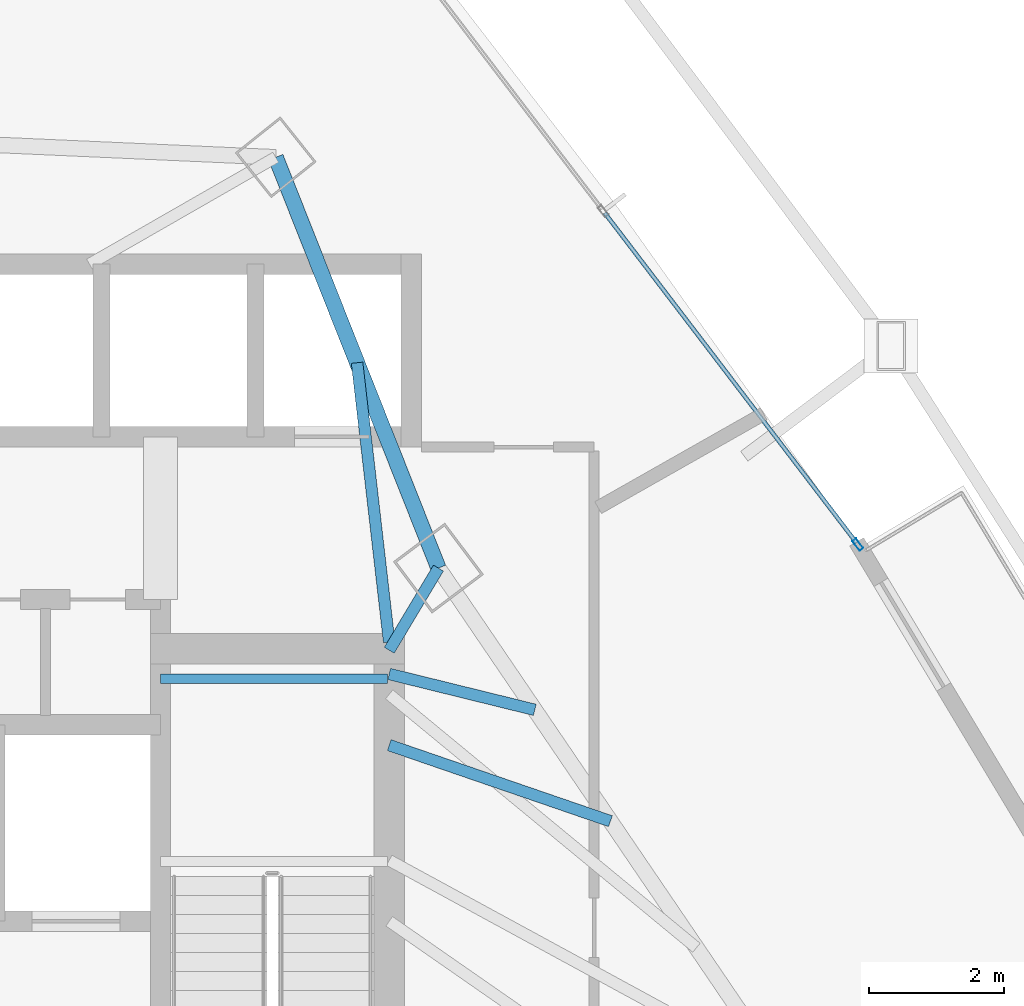
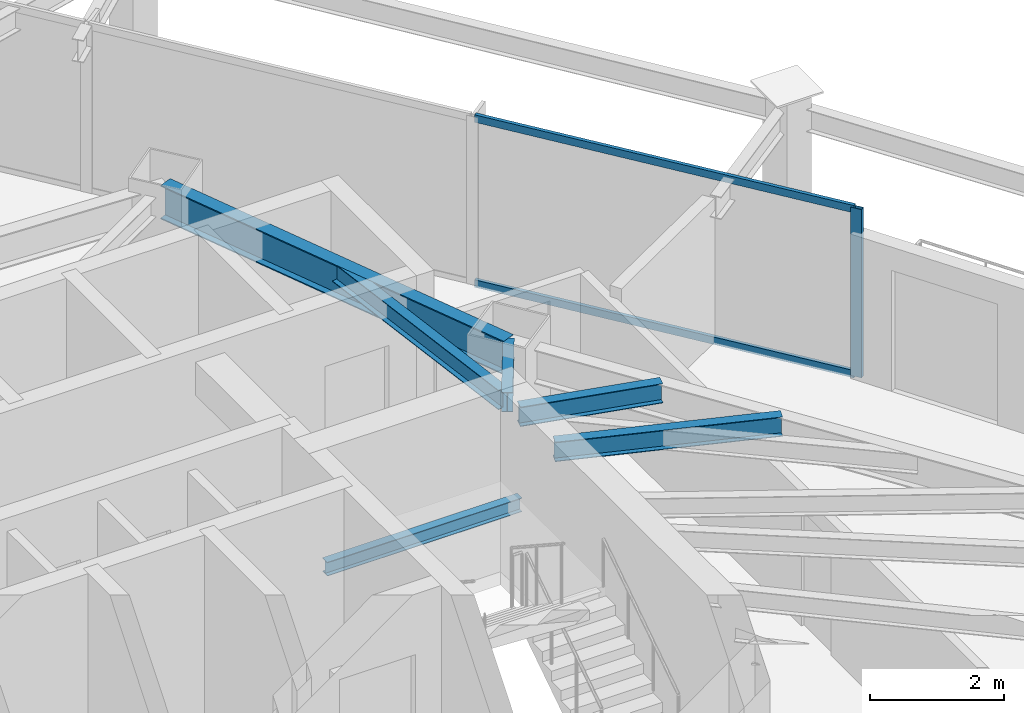
# One storey, part 24 of 33: 6 beams, 3 members, 1 element without a shape of its own.
"""IFC4 building model written with IfcOpenShell, lengths in metres."""

import ifcopenshell
import ifcopenshell.guid

model = None  # the IFC model being written
_history = None  # IfcOwnerHistory: only IFC2X3 demands one
_inside = {}  # id of a spatial element -> (the spatial element, [elements in it])
_under = {}  # id of a project, library or spatial element -> (it, [spatial elements below it])
_declared = {}  # id of a project -> (the project, [libraries it declares])
_typed = {}  # id of a type object -> (the type object, [elements of that type])
_made_of = {}  # id of a material, layer set ... -> (it, [elements and type objects made of it])


def new_model(schema):
    """Start an empty IFC model of exactly this schema.

    Asked for "IFC4X3", IfcOpenShell would pick the latest addendum, in which some entities
    have other attributes; the version numbers below select the first issue.
    IFC2X3 requires an IfcOwnerHistory on every rooted entity: one is made here for all.
    """
    global model, _history
    if schema == "IFC4X3":
        model = ifcopenshell.file(schema_version=(4, 3, 0, 0))
    else:
        model = ifcopenshell.file(schema=schema)
    _inside.clear()
    _under.clear()
    _declared.clear()
    _typed.clear()
    _made_of.clear()
    _history = None
    if model.schema == "IFC2X3":
        org = make("IfcOrganization", Name="unknown")
        user = make(
            "IfcPersonAndOrganization",
            ThePerson=make("IfcPerson", FamilyName="unknown"),
            TheOrganization=org,
        )
        app = make(
            "IfcApplication",
            ApplicationDeveloper=org,
            Version="unknown",
            ApplicationFullName="unknown",
            ApplicationIdentifier="unknown",
        )
        _history = make(
            "IfcOwnerHistory",
            OwningUser=user,
            OwningApplication=app,
            ChangeAction="ADDED",
            CreationDate=0,
        )
    return model


def make(cls, **values):
    """One entity of the class cls with the attributes given. An attribute that is None is left unset."""
    return model.create_entity(
        cls, **{name: value for name, value in values.items() if value is not None}
    )


def rooted(cls, **values):
    """An entity with a GlobalId (a new one), such as an element, a storey or a relation."""
    return make(cls, GlobalId=ifcopenshell.guid.new(), OwnerHistory=_history, **values)


def si_unit(unit_type, name, prefix=None):
    """IfcSIUnit, for example si_unit("LENGTHUNIT", "METRE", prefix="MILLI")."""
    return make("IfcSIUnit", UnitType=unit_type, Prefix=prefix, Name=name)


def assignment(units):
    """IfcUnitAssignment: the units of a project."""
    return None if units is None else make("IfcUnitAssignment", Units=units)


def point(xyz):
    """IfcCartesianPoint."""
    return None if xyz is None else make("IfcCartesianPoint", Coordinates=xyz)


def direction(xyz):
    """IfcDirection."""
    return None if xyz is None else make("IfcDirection", DirectionRatios=xyz)


def frame(location, z_axis=None, x_axis=None):
    """IfcAxis2Placement3D, a coordinate frame: its origin and axes. An axis left out is left unset."""
    return make(
        "IfcAxis2Placement3D",
        Location=point(location),
        Axis=direction(z_axis),
        RefDirection=direction(x_axis),
    )


def frame_2d(location, x_axis=None):
    """IfcAxis2Placement2D, a coordinate frame in the plane: its origin and x axis."""
    return make(
        "IfcAxis2Placement2D", Location=point(location), RefDirection=direction(x_axis)
    )


def origin():
    """The frame at (0, 0, 0) with its axes left unset."""
    return frame((0.0, 0.0, 0.0))


def origin_2d():
    """The frame at (0, 0) in the plane with its x axis left unset."""
    return frame_2d((0.0, 0.0))


def place(relative_to, where):
    """IfcLocalPlacement: puts the frame where relative to a parent placement (None: the world)."""
    return make(
        "IfcLocalPlacement", PlacementRelTo=relative_to, RelativePlacement=where
    )


def context(
    kind, dimensions, precision=None, world=None, true_north=None, identifier=None
):
    """IfcGeometricRepresentationContext, for example the 3D "Model" context."""
    return make(
        "IfcGeometricRepresentationContext",
        ContextIdentifier=identifier,
        ContextType=kind,
        CoordinateSpaceDimension=dimensions,
        Precision=precision,
        WorldCoordinateSystem=world,
        TrueNorth=true_north,
    )


def subcontext(parent, identifier, kind, view, scale=None):
    """IfcGeometricRepresentationSubContext, for example "Body" below "Model"."""
    return make(
        "IfcGeometricRepresentationSubContext",
        ContextIdentifier=identifier,
        ContextType=kind,
        ParentContext=parent,
        TargetScale=scale,
        TargetView=view,
    )


def project(units=None, contexts=None):
    """IfcProject with its units and contexts."""
    return rooted(
        "IfcProject",
        Name="project",
        RepresentationContexts=contexts,
        UnitsInContext=assignment(units),
    )


def spatial(cls, under=None, at=None, **own):
    """A site, building, storey or space (cls), placed at a placement, below another one or the project."""
    s = rooted(cls, ObjectPlacement=at, **own)
    if under is not None:
        _under.setdefault(under.id(), (under, []))[1].append(s)
    return s


def profile(cls, at=None, kind="AREA", **sizes):
    """A parametric profile (cls). Its sizes go by their IFC names, for example OverallWidth=200.0."""
    return make(cls, ProfileType=kind, Position=at, **sizes)


def hollow_rectangle(**sizes):
    """IfcRectangleHollowProfileDef."""
    return profile("IfcRectangleHollowProfileDef", **sizes)


def i_section(**sizes):
    """IfcIShapeProfileDef."""
    return profile("IfcIShapeProfileDef", **sizes)


def extrude(swept, where, along, depth):
    """IfcExtrudedAreaSolid: the profile swept, set in the frame where, extruded along a direction by depth."""
    return make(
        "IfcExtrudedAreaSolid",
        SweptArea=swept,
        Position=where,
        ExtrudedDirection=direction(along),
        Depth=depth,
    )


def shape(context_of_items, identifier, shape_type, items):
    """IfcShapeRepresentation: the items that make up one representation, for example the "Body"."""
    return make(
        "IfcShapeRepresentation",
        ContextOfItems=context_of_items,
        RepresentationIdentifier=identifier,
        RepresentationType=shape_type,
        Items=items,
    )


def material(Name=None, Category=None):
    """IfcMaterial."""
    return make("IfcMaterial", Name=Name, Category=Category)


def layer(
    of_material, thickness, ventilated=None, Name=None, Category=None, Priority=None
):
    """IfcMaterialLayer: one layer of a wall or slab, of a material (None: an air gap)."""
    return make(
        "IfcMaterialLayer",
        Material=of_material,
        LayerThickness=thickness,
        IsVentilated=ventilated,
        Name=Name,
        Category=Category,
        Priority=Priority,
    )


def layer_set(layers, Name=None):
    """IfcMaterialLayerSet."""
    return make("IfcMaterialLayerSet", MaterialLayers=layers, LayerSetName=Name)


def material_profile(
    of_material, cross_section, Name=None, Category=None, Priority=None
):
    """IfcMaterialProfile: a cross section and its material."""
    return make(
        "IfcMaterialProfile",
        Name=Name,
        Material=of_material,
        Profile=cross_section,
        Priority=Priority,
        Category=Category,
    )


def profile_set(profiles, Name=None, composite=None):
    """IfcMaterialProfileSet."""
    return make(
        "IfcMaterialProfileSet",
        Name=Name,
        MaterialProfiles=profiles,
        CompositeProfile=composite,
    )


def made_of(thing, what):
    """Note that an element or type object is made of a material, layer set ...; save() writes the relation."""
    if what is not None:
        _made_of.setdefault(what.id(), (what, []))[1].append(thing)
    return thing


def type_object(cls, material=None, **own):
    """A type object (cls), such as IfcWallType, which elements share."""
    return made_of(rooted(cls, **own), material)


def element(
    cls,
    number,
    at=None,
    inside=None,
    cuts=None,
    type_object=None,
    material=None,
    context=None,
    identifier="Body",
    shape_type=None,
    held_by="IfcProductDefinitionShape",
    body=None,
    shapes=None,
    **own,
):
    """One element of the class cls, such as IfcWall. Its Tag is "e" and its number.

    at: its placement. inside: the storey or other place that contains it. cuts: it is an
    opening in that element (IfcRelVoidsElement). A single representation is given by context,
    identifier, shape_type and body (its items); several are given by shapes. held_by: the class
    of the entity that holds the representations. save() writes the other relations.
    """
    e = rooted(cls, Tag="e%d" % number, ObjectPlacement=at, **own)
    if body is not None:
        shapes = [shape(context, identifier, shape_type, body)]
    if shapes is not None:
        e.Representation = make(held_by, Representations=shapes)
    if inside is not None:
        _inside.setdefault(inside.id(), (inside, []))[1].append(e)
    if cuts is not None:
        rooted(
            "IfcRelVoidsElement", RelatingBuildingElement=cuts, RelatedOpeningElement=e
        )
    if type_object is not None:
        _typed.setdefault(type_object.id(), (type_object, []))[1].append(e)
    return made_of(e, material)


def aggregate(whole, parts):
    """IfcRelAggregates: a whole, such as a stair, and the parts it consists of."""
    return rooted("IfcRelAggregates", RelatingObject=whole, RelatedObjects=parts)


def save(model, path):
    """Write the relations noted so far, then the file.

    IfcRelAggregates (storeys below a building ...), IfcRelContainedInSpatialStructure (elements
    in a storey), IfcRelDefinesByType, IfcRelAssociatesMaterial and IfcRelDeclares: one each for
    every whole, place, type object, material and project.
    """
    for whole, parts in _under.values():
        aggregate(whole, parts)
    for where, things in _inside.values():
        rooted(
            "IfcRelContainedInSpatialStructure",
            RelatedElements=things,
            RelatingStructure=where,
        )
    for kind, things in _typed.values():
        rooted("IfcRelDefinesByType", RelatedObjects=things, RelatingType=kind)
    for what, things in _made_of.values():
        rooted("IfcRelAssociatesMaterial", RelatedObjects=things, RelatingMaterial=what)
    for by, libraries in _declared.values():
        rooted("IfcRelDeclares", RelatingContext=by, RelatedDefinitions=libraries)
    model.write(path)


model = new_model("IFC4")

# Units and contexts
model_context = context("Model", 3, precision=1e-05, world=origin(), true_north=direction((0.0, 1.0)))
body_context = subcontext(model_context, "Body", "Model", "MODEL_VIEW")
ifc_project = project(units=[si_unit("LENGTHUNIT", "METRE"), si_unit("AREAUNIT", "SQUARE_METRE"), si_unit("VOLUMEUNIT", "CUBIC_METRE"), si_unit("PLANEANGLEUNIT", "RADIAN"), si_unit("MASSUNIT", "GRAM", prefix="KILO")], contexts=[model_context])

# Site, building, storey
site_placement = place(None, origin())
site = spatial("IfcSite", under=ifc_project, at=site_placement, CompositionType="ELEMENT")
building_placement = place(site_placement, origin())
building = spatial("IfcBuilding", under=site, at=building_placement, Name="Orvanel Arch Residences", CompositionType="ELEMENT")
storey_placement = place(building_placement, frame((0.0, 0.0, 70.85009765625)))
storey = spatial("IfcBuildingStorey", under=building, at=storey_placement, Name="L19", CompositionType="ELEMENT", Elevation=70.85009765625)

# Beams
ifc_material_1 = material(Name="Structural steel AS/NZS 3679.1 Grade 300 (300 MPa)", Category="steel")
ifc_material_profile_1 = material_profile(ifc_material_1, i_section(OverallWidth=0.14599609375, OverallDepth=0.251953125, WebThickness=0.006103515625, FlangeThickness=0.008544921875, at=origin_2d()), Name="250UB31.4")
ifc_profile_set_1 = profile_set([ifc_material_profile_1], Name="Structural steel AS/NZS 3679.1 Grade 300 (300 MPa)")
beam_type_1 = type_object("IfcBeamType", Name="BJ-250UB", PredefinedType="JOIST", material=ifc_profile_set_1)
beam_1_placement = place(storey_placement, frame((36.25, 33.47998046875, 1.323974609375), z_axis=(1.0, 0.0, 0.0), x_axis=(0.0, 1.0, 0.0)))
element("IfcBeam", 1, at=beam_1_placement, inside=storey, type_object=beam_type_1, Name="L19 ST-2 Half-Landing Support Beam 1.2", PredefinedType="JOIST", context=body_context, shape_type="SweptSolid", body=[
    extrude(i_section(OverallWidth=0.14599609375, OverallDepth=0.251953125, WebThickness=0.006103515625, FlangeThickness=0.008544921875, at=origin_2d()), origin(), (0.0, 0.0, 1.0), 3.35009765625),
])
ifc_material_profile_2 = material_profile(ifc_material_1, i_section(OverallWidth=0.1708984375, OverallDepth=0.35595703125, WebThickness=0.00732421875, FlangeThickness=0.011474609375, at=origin_2d()), Name="360UB50.7")
ifc_profile_set_2 = profile_set([ifc_material_profile_2], Name="Structural steel AS/NZS 3679.1 Grade 300 (300 MPa)")
beam_type_2 = type_object("IfcBeamType", Name="BJ-360UB", PredefinedType="JOIST", material=ifc_profile_set_2)
beam_2_placement = place(storey_placement, frame((39.625, 33.89990234375, 2.8818359375), z_axis=(0.514064138778, 0.857751748015, 0.0), x_axis=(-0.857751748015, 0.514064138778, 0.0)))
element("IfcBeam", 2, at=beam_2_placement, inside=storey, type_object=beam_type_2, Name="L19 NNE Wing Floor Joist", PredefinedType="JOIST", context=body_context, shape_type="SweptSolid", body=[
    extrude(i_section(OverallWidth=0.1708984375, OverallDepth=0.35595703125, WebThickness=0.00732421875, FlangeThickness=0.011474609375, at=origin_2d()), origin(), (0.0, 0.0, 1.0), 1.414306640625),
])
beam_3_placement = place(storey_placement, frame((39.625, 34.02001953125, 2.8818359375), z_axis=(-0.114186670431, 0.993459311847, 0.0), x_axis=(-0.993459311847, -0.114186670431, 0.0)))
element("IfcBeam", 3, at=beam_3_placement, inside=storey, type_object=beam_type_2, Name="L19 NNE2 Wing Floor Joist", PredefinedType="JOIST", context=body_context, shape_type="SweptSolid", body=[
    extrude(i_section(OverallWidth=0.1708984375, OverallDepth=0.35595703125, WebThickness=0.00732421875, FlangeThickness=0.011474609375, at=origin_2d()), origin(), (0.0, 0.0, 1.0), 4.152099609375),
])
beam_4_placement = place(storey_placement, frame((39.625, 32.5, 2.8818359375), z_axis=(0.945658073701, -0.325162740247, 0.0), x_axis=(0.325162740247, 0.945658073701, 0.0)))
element("IfcBeam", 4, at=beam_4_placement, inside=storey, type_object=beam_type_2, Name="L19 ENE Wing Floor Joist", PredefinedType="JOIST", context=body_context, shape_type="SweptSolid", body=[
    extrude(i_section(OverallWidth=0.1708984375, OverallDepth=0.35595703125, WebThickness=0.00732421875, FlangeThickness=0.011474609375, at=origin_2d()), origin(), (0.0, 0.0, 1.0), 3.453857421875),
])
beam_5_placement = place(storey_placement, frame((39.625, 33.550048828125, 2.8818359375), z_axis=(0.971005818547, -0.239055851942, 0.0), x_axis=(0.239055851942, 0.971005818547, 0.0)))
element("IfcBeam", 5, at=beam_5_placement, inside=storey, type_object=beam_type_2, Name="L19 JADD4 Wing Floor Joist", PredefinedType="JOIST", context=body_context, shape_type="SweptSolid", body=[
    extrude(i_section(OverallWidth=0.1708984375, OverallDepth=0.35595703125, WebThickness=0.00732421875, FlangeThickness=0.011474609375, at=origin_2d()), origin(), (0.0, 0.0, 1.0), 2.213134765625),
])

# Curtain wall, member
ifc_material_2 = material(Name="Bronze-anodised aluminium AA6063-T6", Category="aluminium")
ifc_layer = layer(ifc_material_2, 0.179931640625)
ifc_layer_set = layer_set([ifc_layer], Name="Bronze-anodised aluminium AA6063-T6")
curtain_wall_type = type_object("IfcCurtainWallType", Name="CW2-LOW-SYS", PredefinedType="NOTDEFINED", material=ifc_layer_set)
curtain_wall_placement = place(storey_placement, origin())
curtain_wall = element("IfcCurtainWall", 6, at=curtain_wall_placement, inside=storey, type_object=curtain_wall_type, Name="L19 CW2-LOW-SYS Unitised Curtain Wall", PredefinedType="NOTDEFINED")
ifc_material_profile_3 = material_profile(ifc_material_2, hollow_rectangle(XDim=0.070068359375, YDim=0.179931640625, WallThickness=0.00439453125, at=origin_2d()), Name="ALU180x70x4.5")
ifc_profile_set_3 = profile_set([ifc_material_profile_3], Name="Bronze-anodised aluminium AA6063-T6")
member_type_1 = type_object("IfcMemberType", Name="MUL-180x70", PredefinedType="MULLION", material=ifc_profile_set_3)
member_1_placement = place(storey_placement, frame((46.543701171875, 35.4609375, 0.0), z_axis=(0.0, 0.0, 1.0), x_axis=(-0.794898267581, -0.606742733122, 0.0)))
member_1 = element("IfcMember", 7, at=member_1_placement, type_object=member_type_1, Name="CW-S2 mullion 1", PredefinedType="MULLION", context=body_context, shape_type="SweptSolid", body=[
    extrude(hollow_rectangle(XDim=0.070068359375, YDim=0.179931640625, WallThickness=0.00439453125, at=origin_2d()), origin(), (0.0, 0.0, 1.0), 3.059814453125),
])

# Beam
ifc_material_profile_4 = material_profile(ifc_material_1, i_section(OverallWidth=0.22900390625, OverallDepth=0.612060546875, WebThickness=0.011962890625, FlangeThickness=0.01953125, at=origin_2d()), Name="610UB125")
ifc_profile_set_4 = profile_set([ifc_material_profile_4], Name="Structural steel AS/NZS 3679.1 Grade 300 (300 MPa)")
beam_type_3 = type_object("IfcBeamType", Name="SP-610UB", PredefinedType="SPANDREL", material=ifc_profile_set_4)
beam_6_placement = place(storey_placement, frame((40.35205078125, 35.113037109375, 2.75390625), z_axis=(-0.368233143579, 0.929733484376, 0.0), x_axis=(-0.929733484376, -0.368233143579, 0.0)))
element("IfcBeam", 8, at=beam_6_placement, inside=storey, type_object=beam_type_3, Name="L19 Perimeter Spandrel Beam 15", PredefinedType="SPANDREL", context=body_context, shape_type="SweptSolid", body=[
    extrude(i_section(OverallWidth=0.22900390625, OverallDepth=0.612060546875, WebThickness=0.011962890625, FlangeThickness=0.01953125, at=origin_2d()), origin(), (0.0, 0.0, 1.0), 6.523193359375),
])

# Member
ifc_material_profile_5 = material_profile(ifc_material_2, hollow_rectangle(XDim=0.06005859375, YDim=0.135009765625, WallThickness=0.00390625, at=origin_2d()), Name="ALU135x60x4")
ifc_profile_set_5 = profile_set([ifc_material_profile_5], Name="Bronze-anodised aluminium AA6063-T6")
member_type_2 = type_object("IfcMemberType", Name="TRN-135x60", PredefinedType="USERDEFINED", material=ifc_profile_set_5)
member_2_placement = place(storey_placement, frame((46.5224609375, 35.488525390625, 0.02978515625), z_axis=(-0.606733650024, 0.794905200593, 0.0), x_axis=(-0.794905200593, -0.606733650024, 0.0)))
member_2 = element("IfcMember", 9, at=member_2_placement, type_object=member_type_2, Name="CW-S2 transom 1.1", ObjectType="TRANSOM", PredefinedType="USERDEFINED", context=body_context, shape_type="SweptSolid", body=[
    extrude(hollow_rectangle(XDim=0.06005859375, YDim=0.135009765625, WallThickness=0.00390625, at=origin_2d()), origin(), (0.0, 0.0, 1.0), 6.123779296875),
])

member_3_placement = place(storey_placement, frame((46.5224609375, 35.488525390625, 3.02978515625), z_axis=(-0.606733650024, 0.794905200593, 0.0), x_axis=(-0.794905200593, -0.606733650024, 0.0)))
member_3 = element("IfcMember", 10, at=member_3_placement, type_object=member_type_2, Name="CW-S2 transom 1.2", ObjectType="TRANSOM", PredefinedType="USERDEFINED", context=body_context, shape_type="SweptSolid", body=[
    extrude(hollow_rectangle(XDim=0.06005859375, YDim=0.135009765625, WallThickness=0.00390625, at=origin_2d()), origin(), (0.0, 0.0, 1.0), 6.123779296875),
])

aggregate(curtain_wall, [member_1, member_2, member_3])

save(model, "model.ifc")
